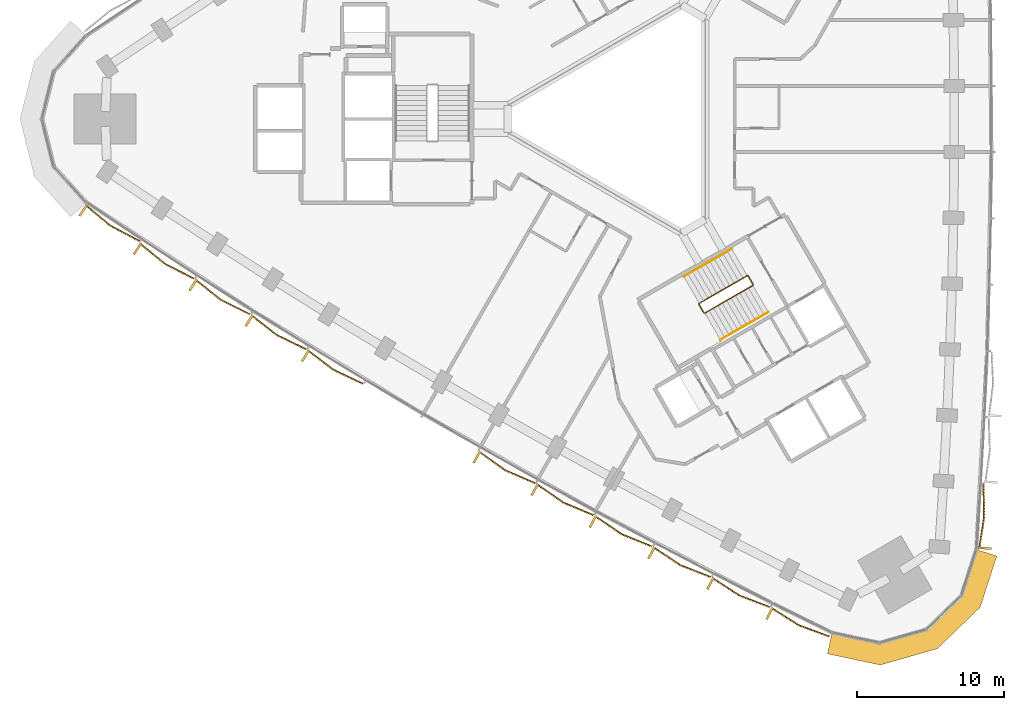
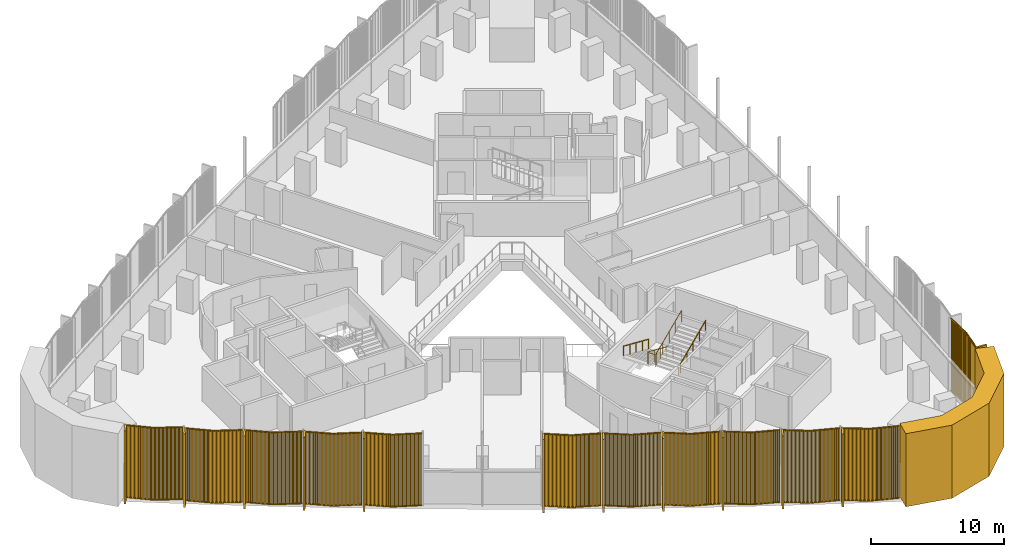
# One storey, part 14 of 16: 13 coverings, 3 railings.
"""IFC4 building model written with IfcOpenShell, lengths in metres."""

from ifc_helpers import new_model, si_unit, direction, frame, frame_2d, origin, origin_2d, place, context, subcontext, project, spatial, polyline, rectangle, circle, outline, extrude, source, transform, mapped, material, layer, layer_set, type_object, element, save


model = new_model("IFC4")

# Units and contexts
model_context = context("Model", 3, precision=1e-05, world=origin(), true_north=direction((0.0, 1.0)))
body_context = subcontext(model_context, "Body", "Model", "MODEL_VIEW")
ifc_project = project(units=[si_unit("LENGTHUNIT", "METRE"), si_unit("AREAUNIT", "SQUARE_METRE"), si_unit("VOLUMEUNIT", "CUBIC_METRE"), si_unit("PLANEANGLEUNIT", "RADIAN"), si_unit("MASSUNIT", "GRAM", prefix="KILO")], contexts=[model_context])

# Site, building, storey
site_placement = place(None, origin())
site = spatial("IfcSite", under=ifc_project, at=site_placement, CompositionType="ELEMENT")
building_placement = place(site_placement, origin())
building = spatial("IfcBuilding", under=site, at=building_placement, Name="Tamra Quay Hotel Tower", CompositionType="ELEMENT")
storey_placement = place(building_placement, frame((0.0, 0.0, 56.60009765625)))
storey = spatial("IfcBuildingStorey", under=building, at=storey_placement, Name="L12", CompositionType="ELEMENT", Elevation=56.60009765625)

# Covering
ifc_material_1 = material(Name="Precast concrete M60 terracotta-coloured", Category="masonry")
ifc_layer = layer(ifc_material_1, 1.449951171875)
ifc_layer_set = layer_set([ifc_layer], Name="CORNER PIER PANEL")
covering_type_1 = type_object("IfcCoveringType", Name="CORNER PIER PANEL", PredefinedType="CLADDING", material=ifc_layer_set)
covering_1_placement = place(storey_placement, origin())
element("IfcCovering", 1, at=covering_1_placement, inside=storey, type_object=covering_type_1, Name="Corner pier L12.south-west", PredefinedType="CLADDING", context=body_context, shape_type="SweptSolid", body=[
    extrude(outline(polyline([(13.593017578125, -34.877685546875), (13.29150390625, -36.296142578125), (16.88037109375, -37.058837890625), (20.75439453125, -35.947998046875), (23.65380859375, -33.148193359375), (24.78759765625, -29.658935546875), (23.40869140625, -29.210693359375), (22.386474609375, -32.356201171875), (20.00732421875, -34.65380859375), (16.828125, -35.5654296875), (13.593017578125, -34.877685546875)])), origin(), (0.0, 0.0, 1.0), 6.724853515625),
])

# Railings
ifc_material_2 = material(Name="Stair guard 1100")
railing_type_1 = type_object("IfcRailingType", Name="Stair guard 1100", PredefinedType="GUARDRAIL", material=ifc_material_2)
railing_1_placement = place(storey_placement, frame((8.245849609375, -11.221923828125, 0.0)))
element("IfcRailing", 2, at=railing_1_placement, inside=storey, type_object=railing_type_1, Name="GR", PredefinedType="GUARDRAIL", context=body_context, shape_type="SweptSolid", body=[
    extrude(circle(Radius=0.02392578125, at=origin_2d()), frame((0.0, 0.0, 1.076171875), z_axis=(-0.500043078269, 0.866000531106, 0.0), x_axis=(-0.866000531106, -0.500043078269, 0.0)), (0.0, 0.0, 1.0), 0.6591796875),
    extrude(circle(Radius=0.02392578125, at=origin_2d()), frame((-0.32958984375, 0.57080078125, 1.076171875), z_axis=(-0.41238007866, 0.110458949641, 0.904290601062), x_axis=(-0.258736085224, -0.965948051503, 0.0)), (0.0, 0.0, 1.0), 0.165771484375),
    extrude(circle(Radius=0.02392578125, at=origin_2d()), frame((-0.39794921875, 0.589111328125, 1.22607421875), z_axis=(-0.793100512587, -0.457912285461, 0.401631567183), x_axis=(0.500012686397, -0.866018079166, 0.0)), (0.0, 0.0, 1.0), 4.10791015625),
    extrude(circle(Radius=0.02392578125, at=origin_2d()), frame((-3.656005859375, -1.2919921875, 2.8759765625), z_axis=(-0.256368644879, -0.966579080015, 0.0), x_axis=(0.966579080015, -0.256368644879, 0.0)), (0.0, 0.0, 1.0), 0.070556640625),
    extrude(circle(Radius=0.02392578125, at=origin_2d()), frame((-3.674072265625, -1.360107421875, 2.8759765625), z_axis=(0.499765215335, -0.866160914346, 0.0), x_axis=(0.866160914346, 0.499765215335, 0.0)), (0.0, 0.0, 1.0), 0.658935546875),
    extrude(circle(Radius=0.02392578125, at=origin_2d()), frame((-3.3447265625, -1.930908203125, 2.8759765625), z_axis=(0.411831509231, -0.110312011401, 0.90455849349), x_axis=(0.258736085224, 0.965948051503, 0.0)), (0.0, 0.0, 1.0), 0.166015625),
    extrude(circle(Radius=0.02392578125, at=origin_2d()), frame((-3.2763671875, -1.94921875, 3.02587890625), z_axis=(0.793100512587, 0.457912285461, 0.401631567183), x_axis=(-0.500012686397, 0.866018079166, 0.0)), (0.0, 0.0, 1.0), 4.10791015625),
    extrude(circle(Radius=0.02099609375, at=origin_2d()), origin(), (0.0, 0.0, 1.0), 1.052001953125),
    extrude(circle(Radius=0.02099609375, at=origin_2d()), frame((-0.32958984375, 0.57080078125, 0.0)), (0.0, 0.0, 1.0), 1.052001953125),
    extrude(circle(Radius=0.02099609375, at=origin_2d()), frame((-0.39794921875, 0.589111328125, 0.14990234375)), (0.0, 0.0, 1.0), 1.052001953125),
    extrude(circle(Radius=0.02099609375, at=origin_2d()), frame((-1.21240234375, 0.118896484375, 0.5625)), (0.0, 0.0, 1.0), 1.052001953125),
    extrude(circle(Radius=0.02099609375, at=origin_2d()), frame((-2.02685546875, -0.3515625, 0.974853515625)), (0.0, 0.0, 1.0), 1.052001953125),
    extrude(circle(Radius=0.02099609375, at=origin_2d()), frame((-2.841552734375, -0.82177734375, 1.38720703125)), (0.0, 0.0, 1.0), 1.052001953125),
    extrude(circle(Radius=0.02099609375, at=origin_2d()), frame((-3.656005859375, -1.2919921875, 1.7998046875)), (0.0, 0.0, 1.0), 1.052001953125),
    extrude(circle(Radius=0.02099609375, at=origin_2d()), frame((-3.674072265625, -1.360107421875, 1.7998046875)), (0.0, 0.0, 1.0), 1.052001953125),
    extrude(circle(Radius=0.02099609375, at=origin_2d()), frame((-3.3447265625, -1.930908203125, 1.7998046875)), (0.0, 0.0, 1.0), 1.052001953125),
    extrude(circle(Radius=0.02099609375, at=origin_2d()), frame((-3.2763671875, -1.94921875, 1.949951171875)), (0.0, 0.0, 1.0), 1.052001953125),
    extrude(circle(Radius=0.02099609375, at=origin_2d()), frame((-2.4619140625, -1.47900390625, 2.3623046875)), (0.0, 0.0, 1.0), 1.052001953125),
    extrude(circle(Radius=0.02099609375, at=origin_2d()), frame((-1.6474609375, -1.0087890625, 2.77490234375)), (0.0, 0.0, 1.0), 1.052001953125),
    extrude(circle(Radius=0.02099609375, at=origin_2d()), frame((-0.832763671875, -0.538330078125, 3.1875)), (0.0, 0.0, 1.0), 1.052001953125),
    extrude(circle(Radius=0.02099609375, at=origin_2d()), frame((-0.018310546875, -0.068115234375, 3.599853515625)), (0.0, 0.0, 1.0), 1.052001953125),
])
ifc_material_3 = material(Name="Stair handrail 900")
railing_type_2 = type_object("IfcRailingType", Name="Stair handrail 900", PredefinedType="HANDRAIL", material=ifc_material_3)
railing_2_placement = place(storey_placement, frame((6.7978515625, -8.814208984375, 0.14990234375)))
element("IfcRailing", 3, at=railing_2_placement, inside=storey, type_object=railing_type_2, Name="HR", PredefinedType="HANDRAIL", context=body_context, shape_type="SweptSolid", body=[
    extrude(circle(Radius=0.02392578125, at=origin_2d()), frame((0.0, 0.0, 0.8759765625), z_axis=(-0.79310004713, -0.457886897714, 0.401661429744), x_axis=(0.499992114976, -0.866029956157, 0.0)), (0.0, 0.0, 1.0), 4.107666015625),
    extrude(circle(Radius=0.02099609375, at=origin_2d()), origin(), (0.0, 0.0, 1.0), 0.851806640625),
    extrude(circle(Radius=0.02099609375, at=origin_2d()), frame((-0.814453125, -0.47021484375, 0.41259765625)), (0.0, 0.0, 1.0), 0.851806640625),
    extrude(circle(Radius=0.02099609375, at=origin_2d()), frame((-1.62890625, -0.9404296875, 0.824951171875)), (0.0, 0.0, 1.0), 0.851806640625),
    extrude(circle(Radius=0.02099609375, at=origin_2d()), frame((-2.443359375, -1.41064453125, 1.2373046875)), (0.0, 0.0, 1.0), 0.851806640625),
    extrude(circle(Radius=0.02099609375, at=origin_2d()), frame((-3.2578125, -1.880859375, 1.64990234375)), (0.0, 0.0, 1.0), 0.851806640625),
])
railing_3_placement = place(storey_placement, frame((6.01953125, -14.98974609375, 1.949951171875)))
element("IfcRailing", 4, at=railing_3_placement, inside=storey, type_object=railing_type_2, Name="HR", PredefinedType="HANDRAIL", context=body_context, shape_type="SweptSolid", body=[
    extrude(circle(Radius=0.02392578125, at=origin_2d()), frame((0.0, 0.0, 0.8759765625), z_axis=(0.79310004713, 0.457886897714, 0.401661429744), x_axis=(-0.499992114976, 0.866029956157, 0.0)), (0.0, 0.0, 1.0), 4.107666015625),
    extrude(circle(Radius=0.02099609375, at=origin_2d()), origin(), (0.0, 0.0, 1.0), 0.851806640625),
    extrude(circle(Radius=0.02099609375, at=origin_2d()), frame((0.814453125, 0.47021484375, 0.41259765625)), (0.0, 0.0, 1.0), 0.851806640625),
    extrude(circle(Radius=0.02099609375, at=origin_2d()), frame((1.62890625, 0.9404296875, 0.824951171875)), (0.0, 0.0, 1.0), 0.851806640625),
    extrude(circle(Radius=0.02099609375, at=origin_2d()), frame((2.443359375, 1.41064453125, 1.2373046875)), (0.0, 0.0, 1.0), 0.851806640625),
    extrude(circle(Radius=0.02099609375, at=origin_2d()), frame((3.2578125, 1.880859375, 1.64990234375)), (0.0, 0.0, 1.0), 0.851806640625),
])

# Coverings
ifc_material_4 = material(Name="Terracotta baguette extruded", Category="masonry")
covering_type_2 = type_object("IfcCoveringType", Name="BAGUETTE SCREEN E-V H6725", PredefinedType="USERDEFINED", material=ifc_material_4)
shared_shape_1 = source(origin(), body_context, "Body", "SweptSolid", [
    extrude(rectangle(XDim=2.2109375, YDim=0.06005859375, at=frame_2d((1.10546875, 0.030029296875))), frame((-2.207763671875, -0.057861328125, -0.1201171875), z_axis=(0.0, 0.0, 1.0), x_axis=(0.996194698092, -0.087155742748, 0.0)), (0.0, 0.0, 1.0), 0.1201171875),
    extrude(rectangle(XDim=2.2109375, YDim=0.06005859375, at=frame_2d((1.10546875, 0.030029296875))), frame((-2.207763671875, -0.057861328125, -6.72509765625), z_axis=(0.0, 0.0, 1.0), x_axis=(0.996194698092, -0.087155742748, 0.0)), (0.0, 0.0, 1.0), 0.1201171875),
    extrude(rectangle(XDim=0.070068359375, YDim=0.10009765625, at=frame_2d((0.03515625, 0.050048828125))), frame((-2.1875, -0.13232421875, -6.6650390625)), (0.0, 0.0, 1.0), 6.60498046875),
    extrude(rectangle(XDim=0.070068359375, YDim=0.10009765625, at=frame_2d((0.03515625, 0.050048828125))), frame((-2.08740234375, -0.14111328125, -6.6650390625)), (0.0, 0.0, 1.0), 6.60498046875),
    extrude(rectangle(XDim=0.070068359375, YDim=0.10009765625, at=frame_2d((0.03515625, 0.050048828125))), frame((-1.9873046875, -0.14990234375, -6.6650390625)), (0.0, 0.0, 1.0), 6.60498046875),
    extrude(rectangle(XDim=0.070068359375, YDim=0.10009765625, at=frame_2d((0.03515625, 0.050048828125))), frame((-1.88720703125, -0.15869140625, -6.6650390625)), (0.0, 0.0, 1.0), 6.60498046875),
    extrude(rectangle(XDim=0.070068359375, YDim=0.10009765625, at=frame_2d((0.03515625, 0.050048828125))), frame((-1.787109375, -0.16748046875, -6.6650390625)), (0.0, 0.0, 1.0), 6.60498046875),
    extrude(rectangle(XDim=0.070068359375, YDim=0.10009765625, at=frame_2d((0.03515625, 0.050048828125))), frame((-1.686767578125, -0.17626953125, -6.6650390625)), (0.0, 0.0, 1.0), 6.60498046875),
    extrude(rectangle(XDim=0.070068359375, YDim=0.10009765625, at=frame_2d((0.03515625, 0.050048828125))), frame((-1.586669921875, -0.184814453125, -6.6650390625)), (0.0, 0.0, 1.0), 6.60498046875),
    extrude(rectangle(XDim=0.070068359375, YDim=0.10009765625, at=frame_2d((0.03515625, 0.050048828125))), frame((-1.486572265625, -0.193603515625, -6.6650390625)), (0.0, 0.0, 1.0), 6.60498046875),
    extrude(rectangle(XDim=0.070068359375, YDim=0.10009765625, at=frame_2d((0.03515625, 0.050048828125))), frame((-1.386474609375, -0.202392578125, -6.6650390625)), (0.0, 0.0, 1.0), 6.60498046875),
    extrude(rectangle(XDim=0.070068359375, YDim=0.10009765625, at=frame_2d((0.03515625, 0.050048828125))), frame((-1.286376953125, -0.211181640625, -6.6650390625)), (0.0, 0.0, 1.0), 6.60498046875),
    extrude(rectangle(XDim=0.070068359375, YDim=0.10009765625, at=frame_2d((0.03515625, 0.050048828125))), frame((-1.186279296875, -0.219970703125, -6.6650390625)), (0.0, 0.0, 1.0), 6.60498046875),
    extrude(rectangle(XDim=0.070068359375, YDim=0.10009765625, at=frame_2d((0.03515625, 0.050048828125))), frame((-1.086181640625, -0.228759765625, -6.6650390625)), (0.0, 0.0, 1.0), 6.60498046875),
    extrude(rectangle(XDim=0.070068359375, YDim=0.10009765625, at=frame_2d((0.03515625, 0.050048828125))), frame((-0.986083984375, -0.237548828125, -6.6650390625)), (0.0, 0.0, 1.0), 6.60498046875),
    extrude(rectangle(XDim=0.070068359375, YDim=0.10009765625, at=frame_2d((0.03515625, 0.050048828125))), frame((-0.885986328125, -0.246337890625, -6.6650390625)), (0.0, 0.0, 1.0), 6.60498046875),
    extrude(rectangle(XDim=0.070068359375, YDim=0.10009765625, at=frame_2d((0.03515625, 0.050048828125))), frame((-0.785888671875, -0.2548828125, -6.6650390625)), (0.0, 0.0, 1.0), 6.60498046875),
    extrude(rectangle(XDim=0.070068359375, YDim=0.10009765625, at=frame_2d((0.03515625, 0.050048828125))), frame((-0.685791015625, -0.263671875, -6.6650390625)), (0.0, 0.0, 1.0), 6.60498046875),
    extrude(rectangle(XDim=0.070068359375, YDim=0.10009765625, at=frame_2d((0.03515625, 0.050048828125))), frame((-0.585693359375, -0.2724609375, -6.6650390625)), (0.0, 0.0, 1.0), 6.60498046875),
    extrude(rectangle(XDim=0.070068359375, YDim=0.10009765625, at=frame_2d((0.03515625, 0.050048828125))), frame((-0.485595703125, -0.28125, -6.6650390625)), (0.0, 0.0, 1.0), 6.60498046875),
    extrude(rectangle(XDim=0.070068359375, YDim=0.10009765625, at=frame_2d((0.03515625, 0.050048828125))), frame((-0.385498046875, -0.2900390625, -6.6650390625)), (0.0, 0.0, 1.0), 6.60498046875),
    extrude(rectangle(XDim=0.070068359375, YDim=0.10009765625, at=frame_2d((0.03515625, 0.050048828125))), frame((-0.285400390625, -0.298828125, -6.6650390625)), (0.0, 0.0, 1.0), 6.60498046875),
    extrude(rectangle(XDim=0.070068359375, YDim=0.10009765625, at=frame_2d((0.03515625, 0.050048828125))), frame((-0.18505859375, -0.3076171875, -6.6650390625)), (0.0, 0.0, 1.0), 6.60498046875),
    extrude(rectangle(XDim=0.070068359375, YDim=0.10009765625, at=frame_2d((0.03515625, 0.050048828125))), frame((-0.0849609375, -0.31640625, -6.6650390625)), (0.0, 0.0, 1.0), 6.60498046875),
    extrude(rectangle(XDim=2.2109375, YDim=0.06005859375, at=frame_2d((1.10546875, 0.030029296875))), frame((0.005126953125, -0.25048828125, -0.1201171875), z_axis=(0.0, 0.0, 1.0), x_axis=(0.996194698092, 0.087155742748, 0.0)), (0.0, 0.0, 1.0), 0.1201171875),
    extrude(rectangle(XDim=2.2109375, YDim=0.06005859375, at=frame_2d((1.10546875, 0.030029296875))), frame((0.005126953125, -0.25048828125, -6.72509765625), z_axis=(0.0, 0.0, 1.0), x_axis=(0.996194698092, 0.087155742748, 0.0)), (0.0, 0.0, 1.0), 0.1201171875),
    extrude(rectangle(XDim=0.070068359375, YDim=0.10009765625, at=frame_2d((0.03515625, 0.050048828125))), frame((0.01513671875, -0.31640625, -6.6650390625)), (0.0, 0.0, 1.0), 6.60498046875),
    extrude(rectangle(XDim=0.070068359375, YDim=0.10009765625, at=frame_2d((0.03515625, 0.050048828125))), frame((0.115234375, -0.3076171875, -6.6650390625)), (0.0, 0.0, 1.0), 6.60498046875),
    extrude(rectangle(XDim=0.070068359375, YDim=0.10009765625, at=frame_2d((0.03515625, 0.050048828125))), frame((0.21533203125, -0.298828125, -6.6650390625)), (0.0, 0.0, 1.0), 6.60498046875),
    extrude(rectangle(XDim=0.070068359375, YDim=0.10009765625, at=frame_2d((0.03515625, 0.050048828125))), frame((0.3154296875, -0.2900390625, -6.6650390625)), (0.0, 0.0, 1.0), 6.60498046875),
    extrude(rectangle(XDim=0.070068359375, YDim=0.10009765625, at=frame_2d((0.03515625, 0.050048828125))), frame((0.41552734375, -0.28125, -6.6650390625)), (0.0, 0.0, 1.0), 6.60498046875),
    extrude(rectangle(XDim=0.070068359375, YDim=0.10009765625, at=frame_2d((0.03515625, 0.050048828125))), frame((0.515625, -0.2724609375, -6.6650390625)), (0.0, 0.0, 1.0), 6.60498046875),
    extrude(rectangle(XDim=0.070068359375, YDim=0.10009765625, at=frame_2d((0.03515625, 0.050048828125))), frame((0.61572265625, -0.263671875, -6.6650390625)), (0.0, 0.0, 1.0), 6.60498046875),
    extrude(rectangle(XDim=0.070068359375, YDim=0.10009765625, at=frame_2d((0.03515625, 0.050048828125))), frame((0.7158203125, -0.2548828125, -6.6650390625)), (0.0, 0.0, 1.0), 6.60498046875),
    extrude(rectangle(XDim=0.070068359375, YDim=0.10009765625, at=frame_2d((0.03515625, 0.050048828125))), frame((0.81591796875, -0.246337890625, -6.6650390625)), (0.0, 0.0, 1.0), 6.60498046875),
    extrude(rectangle(XDim=0.070068359375, YDim=0.10009765625, at=frame_2d((0.03515625, 0.050048828125))), frame((0.916015625, -0.237548828125, -6.6650390625)), (0.0, 0.0, 1.0), 6.60498046875),
    extrude(rectangle(XDim=0.070068359375, YDim=0.10009765625, at=frame_2d((0.03515625, 0.050048828125))), frame((1.01611328125, -0.228759765625, -6.6650390625)), (0.0, 0.0, 1.0), 6.60498046875),
    extrude(rectangle(XDim=0.070068359375, YDim=0.10009765625, at=frame_2d((0.03515625, 0.050048828125))), frame((1.1162109375, -0.219970703125, -6.6650390625)), (0.0, 0.0, 1.0), 6.60498046875),
    extrude(rectangle(XDim=0.070068359375, YDim=0.10009765625, at=frame_2d((0.03515625, 0.050048828125))), frame((1.21630859375, -0.211181640625, -6.6650390625)), (0.0, 0.0, 1.0), 6.60498046875),
    extrude(rectangle(XDim=0.070068359375, YDim=0.10009765625, at=frame_2d((0.03515625, 0.050048828125))), frame((1.316650390625, -0.202392578125, -6.6650390625)), (0.0, 0.0, 1.0), 6.60498046875),
    extrude(rectangle(XDim=0.070068359375, YDim=0.10009765625, at=frame_2d((0.03515625, 0.050048828125))), frame((1.416748046875, -0.193603515625, -6.6650390625)), (0.0, 0.0, 1.0), 6.60498046875),
    extrude(rectangle(XDim=0.070068359375, YDim=0.10009765625, at=frame_2d((0.03515625, 0.050048828125))), frame((1.516845703125, -0.184814453125, -6.6650390625)), (0.0, 0.0, 1.0), 6.60498046875),
    extrude(rectangle(XDim=0.070068359375, YDim=0.10009765625, at=frame_2d((0.03515625, 0.050048828125))), frame((1.616943359375, -0.17626953125, -6.6650390625)), (0.0, 0.0, 1.0), 6.60498046875),
    extrude(rectangle(XDim=0.070068359375, YDim=0.10009765625, at=frame_2d((0.03515625, 0.050048828125))), frame((1.717041015625, -0.16748046875, -6.6650390625)), (0.0, 0.0, 1.0), 6.60498046875),
    extrude(rectangle(XDim=0.070068359375, YDim=0.10009765625, at=frame_2d((0.03515625, 0.050048828125))), frame((1.817138671875, -0.15869140625, -6.6650390625)), (0.0, 0.0, 1.0), 6.60498046875),
    extrude(rectangle(XDim=0.070068359375, YDim=0.10009765625, at=frame_2d((0.03515625, 0.050048828125))), frame((1.917236328125, -0.14990234375, -6.6650390625)), (0.0, 0.0, 1.0), 6.60498046875),
    extrude(rectangle(XDim=0.070068359375, YDim=0.10009765625, at=frame_2d((0.03515625, 0.050048828125))), frame((2.017333984375, -0.14111328125, -6.6650390625)), (0.0, 0.0, 1.0), 6.60498046875),
    extrude(rectangle(XDim=0.070068359375, YDim=0.10009765625, at=frame_2d((0.03515625, 0.050048828125))), frame((2.117431640625, -0.13232421875, -6.6650390625)), (0.0, 0.0, 1.0), 6.60498046875),
    extrude(rectangle(XDim=0.14990234375, YDim=0.902099609375, at=frame_2d((0.074951171875, 0.451171875))), frame((-2.202392578125, -0.89990234375, -6.72509765625)), (0.0, 0.0, 1.0), 6.72509765625),
])
covering_2_placement = place(storey_placement, frame((23.672119140625, -26.97509765625, 6.724853515625), z_axis=(0.0, 0.0, 1.0), x_axis=(0.064813097616, 0.997897420769, 0.0)))
element("IfcCovering", 5, at=covering_2_placement, inside=storey, type_object=covering_type_2, Name="Baguette screen L12.E.f00", ObjectType="BAGUETTE SCREEN", PredefinedType="USERDEFINED", context=body_context, shape_type="MappedRepresentation", body=[
    mapped(shared_shape_1, transform((0.0, 0.0, 0.0), scale=1.0)),
])
covering_type_3 = type_object("IfcCoveringType", Name="BAGUETTE SCREEN SW-V H6725", PredefinedType="USERDEFINED", material=ifc_material_4)
shared_shape_2 = source(origin(), body_context, "Body", "SweptSolid", [
    extrude(rectangle(XDim=2.214599609375, YDim=0.06005859375, at=frame_2d((1.107421875, 0.030029296875))), frame((-2.208740234375, -0.0576171875, -0.1201171875), z_axis=(0.0, 0.0, 1.0), x_axis=(0.994521895368, -0.104528463268, 0.0)), (0.0, 0.0, 1.0), 0.1201171875),
    extrude(rectangle(XDim=2.214599609375, YDim=0.06005859375, at=frame_2d((1.107421875, 0.030029296875))), frame((-2.208740234375, -0.0576171875, -6.72509765625), z_axis=(0.0, 0.0, 1.0), x_axis=(0.994521895368, -0.104528463268, 0.0)), (0.0, 0.0, 1.0), 0.1201171875),
    extrude(rectangle(XDim=0.070068359375, YDim=0.10009765625, at=frame_2d((0.03515625, 0.050048828125))), frame((-2.1875, -0.13330078125, -6.6650390625)), (0.0, 0.0, 1.0), 6.60498046875),
    extrude(rectangle(XDim=0.070068359375, YDim=0.10009765625, at=frame_2d((0.03515625, 0.050048828125))), frame((-2.08740234375, -0.143798828125, -6.6650390625)), (0.0, 0.0, 1.0), 6.60498046875),
    extrude(rectangle(XDim=0.070068359375, YDim=0.10009765625, at=frame_2d((0.03515625, 0.050048828125))), frame((-1.9873046875, -0.154296875, -6.6650390625)), (0.0, 0.0, 1.0), 6.60498046875),
    extrude(rectangle(XDim=0.070068359375, YDim=0.10009765625, at=frame_2d((0.03515625, 0.050048828125))), frame((-1.88720703125, -0.164794921875, -6.6650390625)), (0.0, 0.0, 1.0), 6.60498046875),
    extrude(rectangle(XDim=0.070068359375, YDim=0.10009765625, at=frame_2d((0.03515625, 0.050048828125))), frame((-1.787109375, -0.17529296875, -6.6650390625)), (0.0, 0.0, 1.0), 6.60498046875),
    extrude(rectangle(XDim=0.070068359375, YDim=0.10009765625, at=frame_2d((0.03515625, 0.050048828125))), frame((-1.686767578125, -0.185791015625, -6.6650390625)), (0.0, 0.0, 1.0), 6.60498046875),
    extrude(rectangle(XDim=0.070068359375, YDim=0.10009765625, at=frame_2d((0.03515625, 0.050048828125))), frame((-1.586669921875, -0.1962890625, -6.6650390625)), (0.0, 0.0, 1.0), 6.60498046875),
    extrude(rectangle(XDim=0.070068359375, YDim=0.10009765625, at=frame_2d((0.03515625, 0.050048828125))), frame((-1.486572265625, -0.20703125, -6.6650390625)), (0.0, 0.0, 1.0), 6.60498046875),
    extrude(rectangle(XDim=0.070068359375, YDim=0.10009765625, at=frame_2d((0.03515625, 0.050048828125))), frame((-1.386474609375, -0.217529296875, -6.6650390625)), (0.0, 0.0, 1.0), 6.60498046875),
    extrude(rectangle(XDim=0.070068359375, YDim=0.10009765625, at=frame_2d((0.03515625, 0.050048828125))), frame((-1.286376953125, -0.22802734375, -6.6650390625)), (0.0, 0.0, 1.0), 6.60498046875),
    extrude(rectangle(XDim=0.070068359375, YDim=0.10009765625, at=frame_2d((0.03515625, 0.050048828125))), frame((-1.186279296875, -0.238525390625, -6.6650390625)), (0.0, 0.0, 1.0), 6.60498046875),
    extrude(rectangle(XDim=0.070068359375, YDim=0.10009765625, at=frame_2d((0.03515625, 0.050048828125))), frame((-1.086181640625, -0.2490234375, -6.6650390625)), (0.0, 0.0, 1.0), 6.60498046875),
    extrude(rectangle(XDim=0.070068359375, YDim=0.10009765625, at=frame_2d((0.03515625, 0.050048828125))), frame((-0.986083984375, -0.259521484375, -6.6650390625)), (0.0, 0.0, 1.0), 6.60498046875),
    extrude(rectangle(XDim=0.070068359375, YDim=0.10009765625, at=frame_2d((0.03515625, 0.050048828125))), frame((-0.885986328125, -0.27001953125, -6.6650390625)), (0.0, 0.0, 1.0), 6.60498046875),
    extrude(rectangle(XDim=0.070068359375, YDim=0.10009765625, at=frame_2d((0.03515625, 0.050048828125))), frame((-0.785888671875, -0.280517578125, -6.6650390625)), (0.0, 0.0, 1.0), 6.60498046875),
    extrude(rectangle(XDim=0.070068359375, YDim=0.10009765625, at=frame_2d((0.03515625, 0.050048828125))), frame((-0.685791015625, -0.291015625, -6.6650390625)), (0.0, 0.0, 1.0), 6.60498046875),
    extrude(rectangle(XDim=0.070068359375, YDim=0.10009765625, at=frame_2d((0.03515625, 0.050048828125))), frame((-0.585693359375, -0.301513671875, -6.6650390625)), (0.0, 0.0, 1.0), 6.60498046875),
    extrude(rectangle(XDim=0.070068359375, YDim=0.10009765625, at=frame_2d((0.03515625, 0.050048828125))), frame((-0.485595703125, -0.312255859375, -6.6650390625)), (0.0, 0.0, 1.0), 6.60498046875),
    extrude(rectangle(XDim=0.070068359375, YDim=0.10009765625, at=frame_2d((0.03515625, 0.050048828125))), frame((-0.385498046875, -0.32275390625, -6.6650390625)), (0.0, 0.0, 1.0), 6.60498046875),
    extrude(rectangle(XDim=0.070068359375, YDim=0.10009765625, at=frame_2d((0.03515625, 0.050048828125))), frame((-0.285400390625, -0.333251953125, -6.6650390625)), (0.0, 0.0, 1.0), 6.60498046875),
    extrude(rectangle(XDim=0.070068359375, YDim=0.10009765625, at=frame_2d((0.03515625, 0.050048828125))), frame((-0.18505859375, -0.34375, -6.6650390625)), (0.0, 0.0, 1.0), 6.60498046875),
    extrude(rectangle(XDim=0.070068359375, YDim=0.10009765625, at=frame_2d((0.03515625, 0.050048828125))), frame((-0.0849609375, -0.354248046875, -6.6650390625)), (0.0, 0.0, 1.0), 6.60498046875),
    extrude(rectangle(XDim=2.214599609375, YDim=0.06005859375, at=frame_2d((1.107421875, 0.030029296875))), frame((0.00634765625, -0.2890625, -0.1201171875), z_axis=(0.0, 0.0, 1.0), x_axis=(0.994521895368, 0.104528463268, 0.0)), (0.0, 0.0, 1.0), 0.1201171875),
    extrude(rectangle(XDim=2.214599609375, YDim=0.06005859375, at=frame_2d((1.107421875, 0.030029296875))), frame((0.00634765625, -0.2890625, -6.72509765625), z_axis=(0.0, 0.0, 1.0), x_axis=(0.994521895368, 0.104528463268, 0.0)), (0.0, 0.0, 1.0), 0.1201171875),
    extrude(rectangle(XDim=0.070068359375, YDim=0.10009765625, at=frame_2d((0.03515625, 0.050048828125))), frame((0.01513671875, -0.354248046875, -6.6650390625)), (0.0, 0.0, 1.0), 6.60498046875),
    extrude(rectangle(XDim=0.070068359375, YDim=0.10009765625, at=frame_2d((0.03515625, 0.050048828125))), frame((0.115234375, -0.34375, -6.6650390625)), (0.0, 0.0, 1.0), 6.60498046875),
    extrude(rectangle(XDim=0.070068359375, YDim=0.10009765625, at=frame_2d((0.03515625, 0.050048828125))), frame((0.21533203125, -0.333251953125, -6.6650390625)), (0.0, 0.0, 1.0), 6.60498046875),
    extrude(rectangle(XDim=0.070068359375, YDim=0.10009765625, at=frame_2d((0.03515625, 0.050048828125))), frame((0.3154296875, -0.32275390625, -6.6650390625)), (0.0, 0.0, 1.0), 6.60498046875),
    extrude(rectangle(XDim=0.070068359375, YDim=0.10009765625, at=frame_2d((0.03515625, 0.050048828125))), frame((0.41552734375, -0.312255859375, -6.6650390625)), (0.0, 0.0, 1.0), 6.60498046875),
    extrude(rectangle(XDim=0.070068359375, YDim=0.10009765625, at=frame_2d((0.03515625, 0.050048828125))), frame((0.515625, -0.301513671875, -6.6650390625)), (0.0, 0.0, 1.0), 6.60498046875),
    extrude(rectangle(XDim=0.070068359375, YDim=0.10009765625, at=frame_2d((0.03515625, 0.050048828125))), frame((0.61572265625, -0.291015625, -6.6650390625)), (0.0, 0.0, 1.0), 6.60498046875),
    extrude(rectangle(XDim=0.070068359375, YDim=0.10009765625, at=frame_2d((0.03515625, 0.050048828125))), frame((0.7158203125, -0.280517578125, -6.6650390625)), (0.0, 0.0, 1.0), 6.60498046875),
    extrude(rectangle(XDim=0.070068359375, YDim=0.10009765625, at=frame_2d((0.03515625, 0.050048828125))), frame((0.81591796875, -0.27001953125, -6.6650390625)), (0.0, 0.0, 1.0), 6.60498046875),
    extrude(rectangle(XDim=0.070068359375, YDim=0.10009765625, at=frame_2d((0.03515625, 0.050048828125))), frame((0.916015625, -0.259521484375, -6.6650390625)), (0.0, 0.0, 1.0), 6.60498046875),
    extrude(rectangle(XDim=0.070068359375, YDim=0.10009765625, at=frame_2d((0.03515625, 0.050048828125))), frame((1.01611328125, -0.2490234375, -6.6650390625)), (0.0, 0.0, 1.0), 6.60498046875),
    extrude(rectangle(XDim=0.070068359375, YDim=0.10009765625, at=frame_2d((0.03515625, 0.050048828125))), frame((1.1162109375, -0.238525390625, -6.6650390625)), (0.0, 0.0, 1.0), 6.60498046875),
    extrude(rectangle(XDim=0.070068359375, YDim=0.10009765625, at=frame_2d((0.03515625, 0.050048828125))), frame((1.21630859375, -0.22802734375, -6.6650390625)), (0.0, 0.0, 1.0), 6.60498046875),
    extrude(rectangle(XDim=0.070068359375, YDim=0.10009765625, at=frame_2d((0.03515625, 0.050048828125))), frame((1.316650390625, -0.217529296875, -6.6650390625)), (0.0, 0.0, 1.0), 6.60498046875),
    extrude(rectangle(XDim=0.070068359375, YDim=0.10009765625, at=frame_2d((0.03515625, 0.050048828125))), frame((1.416748046875, -0.20703125, -6.6650390625)), (0.0, 0.0, 1.0), 6.60498046875),
    extrude(rectangle(XDim=0.070068359375, YDim=0.10009765625, at=frame_2d((0.03515625, 0.050048828125))), frame((1.516845703125, -0.1962890625, -6.6650390625)), (0.0, 0.0, 1.0), 6.60498046875),
    extrude(rectangle(XDim=0.070068359375, YDim=0.10009765625, at=frame_2d((0.03515625, 0.050048828125))), frame((1.616943359375, -0.185791015625, -6.6650390625)), (0.0, 0.0, 1.0), 6.60498046875),
    extrude(rectangle(XDim=0.070068359375, YDim=0.10009765625, at=frame_2d((0.03515625, 0.050048828125))), frame((1.717041015625, -0.17529296875, -6.6650390625)), (0.0, 0.0, 1.0), 6.60498046875),
    extrude(rectangle(XDim=0.070068359375, YDim=0.10009765625, at=frame_2d((0.03515625, 0.050048828125))), frame((1.817138671875, -0.164794921875, -6.6650390625)), (0.0, 0.0, 1.0), 6.60498046875),
    extrude(rectangle(XDim=0.070068359375, YDim=0.10009765625, at=frame_2d((0.03515625, 0.050048828125))), frame((1.917236328125, -0.154296875, -6.6650390625)), (0.0, 0.0, 1.0), 6.60498046875),
    extrude(rectangle(XDim=0.070068359375, YDim=0.10009765625, at=frame_2d((0.03515625, 0.050048828125))), frame((2.017333984375, -0.143798828125, -6.6650390625)), (0.0, 0.0, 1.0), 6.60498046875),
    extrude(rectangle(XDim=0.070068359375, YDim=0.10009765625, at=frame_2d((0.03515625, 0.050048828125))), frame((2.117431640625, -0.13330078125, -6.6650390625)), (0.0, 0.0, 1.0), 6.60498046875),
    extrude(rectangle(XDim=0.14990234375, YDim=0.902099609375, at=frame_2d((0.074951171875, 0.451171875))), frame((-2.202392578125, -0.89990234375, -6.72509765625)), (0.0, 0.0, 1.0), 6.72509765625),
])
for number, where, z_axis, x_axis, name in (
    (6, (-35.197021484375, -7.01318359375, 6.724853515625), (0.0, 0.0, 1.0), (0.831797967949, -0.555078499418, 0.0), "Baguette screen L12.SW.f00"),
    (7, (-31.507080078125, -9.590576171875, 6.724853515625), (0.0, 0.0, 1.0), (0.837727846152, -0.546087956086, 0.0), "Baguette screen L12.SW.f01"),
    (8, (-27.7236328125, -12.028076171875, 6.724853515625), (0.0, 0.0, 1.0), (0.84357098627, -0.537017682319, 0.0), "Baguette screen L12.SW.f02"),
    (9, (-23.91455078125, -14.423828125, 6.724853515625), (0.0, 0.0, 1.0), (0.849331223164, -0.527860278254, 0.0), "Baguette screen L12.SW.f03"),
    (10, (-20.079345703125, -16.77880859375, 6.724853515625), (0.0, 0.0, 1.0), (0.85499355735, -0.51863861878, 0.0), "Baguette screen L12.SW.f04"),
    (11, (-8.425048828125, -23.592041015625, 6.724853515625), (0.0, 0.0, 1.0), (0.871392472945, -0.490586544959, 0.0), "Baguette screen L12.SW.f07"),
    (12, (-4.4912109375, -25.778564453125, 6.724853515625), (0.0, 0.0, 1.0), (0.876650997922, -0.481126831347, 0.0), "Baguette screen L12.SW.f08"),
    (13, (-0.5341796875, -27.922607421875, 6.724853515625), (0.0, 0.0, 1.0), (0.881806022199, -0.47161227636, 0.0), "Baguette screen L12.SW.f09"),
    (14, (3.4453125, -30.0234375, 6.724853515625), (0.0, 0.0, 1.0), (0.886856448305, -0.462045062846, 0.0), "Baguette screen L12.SW.f10"),
    (15, (7.44775390625, -32.081298828125, 6.724853515625), (0.0, 0.0, 1.0), (0.891789965747, -0.452449618182, 0.0), "Baguette screen L12.SW.f11"),
    (16, (11.471923828125, -34.095703125, 6.724853515625), (0.0, 0.0, 1.0), (0.896611065565, -0.442818921351, 0.0), "Baguette screen L12.SW.f12"),
):
    element("IfcCovering", number, at=place(storey_placement, frame(where, z_axis=z_axis, x_axis=x_axis)), inside=storey, type_object=covering_type_3, Name=name, ObjectType="BAGUETTE SCREEN", PredefinedType="USERDEFINED", context=body_context, shape_type="MappedRepresentation", body=[
        mapped(shared_shape_2, transform((0.0, 0.0, 0.0), scale=1.0)),
    ])

save(model, "model.ifc")
